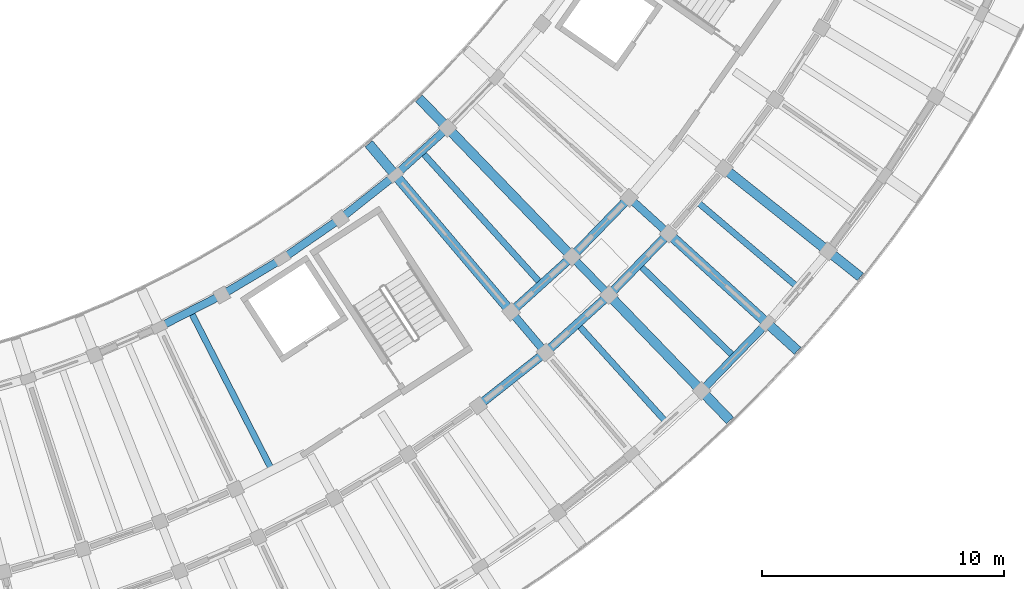
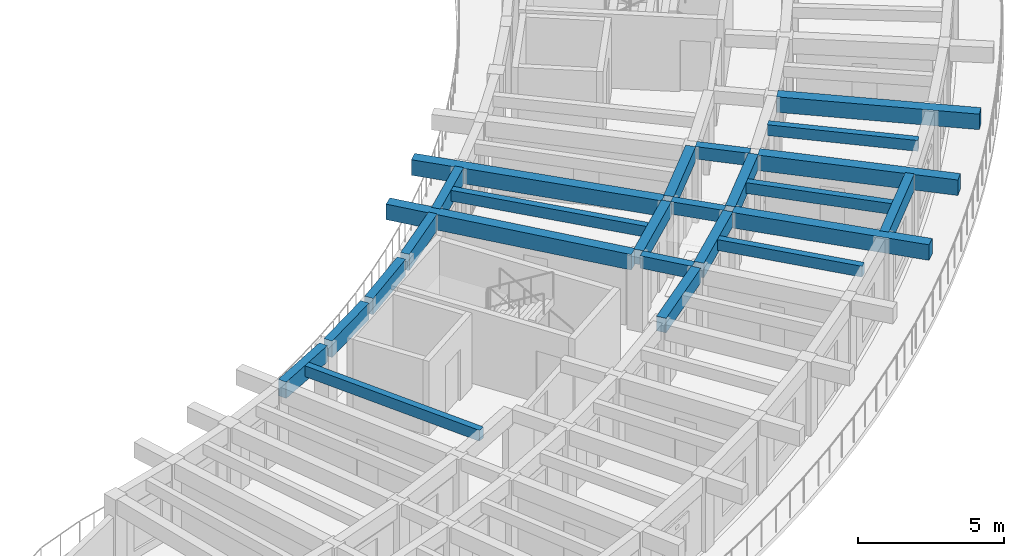
# One storey, part 12 of 69: 24 beams.
"""IFC4 building model written with IfcOpenShell, lengths in metres."""

from ifc_helpers import new_model, si_unit, direction, frame, origin, origin_2d, place, context, subcontext, project, spatial, rectangle, extrude, material, material_profile, profile_set, type_object, element, save


model = new_model("IFC4")

# Units and contexts
model_context = context("Model", 3, precision=1e-05, world=origin(), true_north=direction((0.0, 1.0)))
body_context = subcontext(model_context, "Body", "Model", "MODEL_VIEW")
ifc_project = project(units=[si_unit("LENGTHUNIT", "METRE"), si_unit("AREAUNIT", "SQUARE_METRE"), si_unit("VOLUMEUNIT", "CUBIC_METRE"), si_unit("PLANEANGLEUNIT", "RADIAN"), si_unit("MASSUNIT", "GRAM", prefix="KILO")], contexts=[model_context])

# Site, building, storey
site_placement = place(None, origin())
site = spatial("IfcSite", under=ifc_project, at=site_placement, CompositionType="ELEMENT")
building_placement = place(site_placement, origin())
building = spatial("IfcBuilding", under=site, at=building_placement, Name="Tanwirah Colonnade Gardens", CompositionType="ELEMENT")
storey_placement = place(building_placement, frame((0.0, 0.0, 15.56005859375)))
storey = spatial("IfcBuildingStorey", under=building, at=storey_placement, Name="L04", CompositionType="ELEMENT", Elevation=15.56005859375)

# Beams
ifc_material_1 = material(Name="Precast concrete C40/50", Category="concrete")
ifc_material_profile_1 = material_profile(ifc_material_1, rectangle(XDim=0.360107421875, YDim=0.610107421875, at=origin_2d()), Name="PC-BM 360x610")
ifc_profile_set_1 = profile_set([ifc_material_profile_1], Name="Precast concrete C40/50")
beam_type_1 = type_object("IfcBeamType", Name="BM-PC300", PredefinedType="BEAM", material=ifc_profile_set_1)
beam_1_placement = place(storey_placement, frame((153.267822265625, 21.144775390625, 2.804931640625), z_axis=(0.783993819374, 0.620768629349, 0.0), x_axis=(-0.620768629349, 0.783993819374, 0.0)))
element("IfcBeam", 1, at=beam_1_placement, inside=storey, type_object=beam_type_1, Name="Block D L04 Circumferential Beam 6-R2", PredefinedType="BEAM", context=body_context, shape_type="SweptSolid", body=[
    extrude(rectangle(XDim=0.360107421875, YDim=0.610107421875, at=origin_2d()), origin(), (0.0, 0.0, 1.0), 3.23681640625),
])
beam_2_placement = place(storey_placement, frame((154.61279296875, 25.027099609375, 2.804931640625), z_axis=(0.741698455559, 0.670733479873, 0.0), x_axis=(-0.670733479873, 0.741698455559, 0.0)))
element("IfcBeam", 2, at=beam_2_placement, inside=storey, type_object=beam_type_1, Name="Block D L04 Circumferential Beam 7-R1", PredefinedType="BEAM", context=body_context, shape_type="SweptSolid", body=[
    extrude(rectangle(XDim=0.360107421875, YDim=0.610107421875, at=origin_2d()), origin(), (0.0, 0.0, 1.0), 3.0927734375),
])
beam_3_placement = place(storey_placement, frame((156.0341796875, 23.347900390625, 2.804931640625), z_axis=(0.741701929733, 0.670729638104, 0.0), x_axis=(-0.670729638104, 0.741701929733, 0.0)))
element("IfcBeam", 3, at=beam_3_placement, inside=storey, type_object=beam_type_1, Name="Block D L04 Circumferential Beam 7-R2", PredefinedType="BEAM", context=body_context, shape_type="SweptSolid", body=[
    extrude(rectangle(XDim=0.360107421875, YDim=0.610107421875, at=origin_2d()), origin(), (0.0, 0.0, 1.0), 3.237060546875),
])
beam_4_placement = place(storey_placement, frame((157.12255859375, 27.309814453125, 2.804931640625), z_axis=(0.696209937932, 0.71783822852, 0.0), x_axis=(-0.71783822852, 0.696209937932, 0.0)))
element("IfcBeam", 4, at=beam_4_placement, inside=storey, type_object=beam_type_1, Name="Block D L04 Circumferential Beam 8-R1", PredefinedType="BEAM", context=body_context, shape_type="SweptSolid", body=[
    extrude(rectangle(XDim=0.360107421875, YDim=0.610107421875, at=origin_2d()), origin(), (0.0, 0.0, 1.0), 3.093017578125),
])
beam_5_placement = place(storey_placement, frame((158.650634765625, 25.727294921875, 2.804931640625), z_axis=(0.696238887656, 0.717810149911, 0.0), x_axis=(-0.717810149911, 0.696238887656, 0.0)))
element("IfcBeam", 5, at=beam_5_placement, inside=storey, type_object=beam_type_1, Name="Block D L04 Circumferential Beam 8-R2", PredefinedType="BEAM", context=body_context, shape_type="SweptSolid", body=[
    extrude(rectangle(XDim=0.360107421875, YDim=0.610107421875, at=origin_2d()), origin(), (0.0, 0.0, 1.0), 3.23681640625),
])
ifc_material_profile_2 = material_profile(ifc_material_1, rectangle(XDim=0.320068359375, YDim=0.52001953125, at=origin_2d()), Name="PC-BM 320x520")
ifc_profile_set_2 = profile_set([ifc_material_profile_2], Name="Precast concrete C40/50")
beam_type_2 = type_object("IfcBeamType", Name="BM-PC320", PredefinedType="BEAM", material=ifc_profile_set_2)
beam_6_placement = place(storey_placement, frame((154.598388671875, 24.81201171875, 2.849853515625), z_axis=(0.646155325581, -0.763205932382, 0.0), x_axis=(0.763205932382, 0.646155325581, 0.0)))
element("IfcBeam", 6, at=beam_6_placement, inside=storey, type_object=beam_type_2, Name="Block D L04 Corridor Tie Beam 7", PredefinedType="BEAM", context=body_context, shape_type="SweptSolid", body=[
    extrude(rectangle(XDim=0.320068359375, YDim=0.52001953125, at=origin_2d()), origin(), (0.0, 0.0, 1.0), 1.900146484375),
])
beam_7_placement = place(storey_placement, frame((157.122314453125, 27.09423828125, 2.849853515625), z_axis=(0.694663306685, -0.719335033448, 0.0), x_axis=(0.719335033448, 0.694663306685, 0.0)))
element("IfcBeam", 7, at=beam_7_placement, inside=storey, type_object=beam_type_2, Name="Block D L04 Corridor Tie Beam 8", PredefinedType="BEAM", context=body_context, shape_type="SweptSolid", body=[
    extrude(rectangle(XDim=0.320068359375, YDim=0.52001953125, at=origin_2d()), origin(), (0.0, 0.0, 1.0), 1.89990234375),
])
beam_8_placement = place(storey_placement, frame((159.491455078125, 29.536865234375, 2.849853515625), z_axis=(0.740219127015, -0.672365707038, 0.0), x_axis=(0.672365707038, 0.740219127015, 0.0)))
element("IfcBeam", 8, at=beam_8_placement, inside=storey, type_object=beam_type_2, Name="Block D L04 Corridor Tie Beam 9", PredefinedType="BEAM", context=body_context, shape_type="SweptSolid", body=[
    extrude(rectangle(XDim=0.320068359375, YDim=0.52001953125, at=origin_2d()), origin(), (0.0, 0.0, 1.0), 1.899658203125),
])
ifc_material_2 = material(Name="Precast concrete C45/55", Category="concrete")
ifc_material_profile_3 = material_profile(ifc_material_2, rectangle(XDim=0.39990234375, YDim=0.64990234375, at=origin_2d()), Name="PC-BM 400x650")
ifc_profile_set_3 = profile_set([ifc_material_profile_3], Name="Precast concrete C45/55")
beam_type_3 = type_object("IfcBeamType", Name="BM-PC400", PredefinedType="BEAM", material=ifc_profile_set_3)
beam_9_placement = place(storey_placement, frame((154.404541015625, 25.040771484375, 2.784912109375), z_axis=(-0.64611097415, 0.763243479554, 0.0), x_axis=(-0.763243479554, -0.64611097415, 0.0)))
element("IfcBeam", 9, at=beam_9_placement, inside=storey, type_object=beam_type_3, Name="Block D L04 Inner Radial Precast Girder 7", PredefinedType="BEAM", context=body_context, shape_type="SweptSolid", body=[
    extrude(rectangle(XDim=0.39990234375, YDim=0.64990234375, at=origin_2d()), origin(), (0.0, 0.0, 1.0), 8.949951171875),
])
beam_10_placement = place(storey_placement, frame((156.913818359375, 27.31005859375, 2.784912109375), z_axis=(-0.694655848402, 0.719342235852, 0.0), x_axis=(-0.719342235852, -0.694655848402, 0.0)))
element("IfcBeam", 10, at=beam_10_placement, inside=storey, type_object=beam_type_3, Name="Block D L04 Inner Radial Precast Girder 8", PredefinedType="BEAM", context=body_context, shape_type="SweptSolid", body=[
    extrude(rectangle(XDim=0.39990234375, YDim=0.64990234375, at=origin_2d()), origin(), (0.0, 0.0, 1.0), 8.9501953125),
])
beam_11_placement = place(storey_placement, frame((158.650390625, 25.51171875, 2.784912109375), z_axis=(0.69467114255, -0.719327466254, 0.0), x_axis=(0.719327466254, 0.69467114255, 0.0)))
element("IfcBeam", 11, at=beam_11_placement, inside=storey, type_object=beam_type_3, Name="Block D L04 Outer Radial Precast Girder 8", PredefinedType="BEAM", context=body_context, shape_type="SweptSolid", body=[
    extrude(rectangle(XDim=0.39990234375, YDim=0.64990234375, at=origin_2d()), origin(), (0.0, 0.0, 1.0), 7.050048828125),
])
for number, where, z_axis, x_axis, name in (
    (12, (161.119873046875, 28.0576171875, 2.784912109375), (0.740229899169, -0.672353847596, 0.0), (0.672353847596, 0.740229899169, 0.0), "Block D L04 Outer Radial Precast Girder 9"),
    (13, (163.41748046875, 30.759765625, 2.784912109375), (0.782609106384, -0.622513442911, 0.0), (0.622513442911, 0.782609106384, 0.0), "Block D L04 Outer Radial Precast Girder 10"),
):
    element("IfcBeam", number, at=place(storey_placement, frame(where, z_axis=z_axis, x_axis=x_axis)), inside=storey, type_object=beam_type_3, Name=name, PredefinedType="BEAM", context=body_context, shape_type="SweptSolid", body=[
        extrude(rectangle(XDim=0.39990234375, YDim=0.64990234375, at=origin_2d()), origin(), (0.0, 0.0, 1.0), 7.0498046875),
    ])
ifc_material_profile_4 = material_profile(ifc_material_1, rectangle(XDim=0.2548828125, YDim=0.455078125, at=origin_2d()), Name="PC-JST 255x455")
ifc_profile_set_4 = profile_set([ifc_material_profile_4], Name="Precast concrete C40/50")
beam_type_4 = type_object("IfcBeamType", Name="JST-PC240", PredefinedType="JOIST", material=ifc_profile_set_4)
beam_12_placement = place(storey_placement, frame((141.321044921875, 24.83203125, 2.88232421875), z_axis=(0.455921327553, -0.890020080157, 0.0), x_axis=(0.890020080157, 0.455921327553, 0.0)))
element("IfcBeam", 14, at=beam_12_placement, inside=storey, type_object=beam_type_4, Name="Block D L04 Inner Precast Floor Joist 3", PredefinedType="JOIST", context=body_context, shape_type="SweptSolid", body=[
    extrude(rectangle(XDim=0.2548828125, YDim=0.455078125, at=origin_2d()), origin(), (0.0, 0.0, 1.0), 7.159912109375),
])
beam_13_placement = place(storey_placement, frame((157.33447265625, 24.322998046875, 2.88232421875), z_axis=(0.670780841255, -0.741655622918, 0.0), x_axis=(0.741655622918, 0.670780841255, 0.0)))
element("IfcBeam", 15, at=beam_13_placement, inside=storey, type_object=beam_type_4, Name="Block D L04 Precast Floor Joist 7", PredefinedType="JOIST", context=body_context, shape_type="SweptSolid", body=[
    extrude(rectangle(XDim=0.2548828125, YDim=0.455078125, at=origin_2d()), origin(), (0.0, 0.0, 1.0), 5.260009765625),
])
beam_14_placement = place(storey_placement, frame((150.895263671875, 31.443115234375, 2.88232421875), z_axis=(0.670773136608, -0.741662591214, 0.0), x_axis=(0.741662591214, 0.670773136608, 0.0)))
element("IfcBeam", 16, at=beam_14_placement, inside=storey, type_object=beam_type_4, Name="Block D L04 Inner Precast Floor Joist 7", PredefinedType="JOIST", context=body_context, shape_type="SweptSolid", body=[
    extrude(rectangle(XDim=0.2548828125, YDim=0.455078125, at=origin_2d()), origin(), (0.0, 0.0, 1.0), 7.159912109375),
])
for number, where, z_axis, x_axis, name in (
    (17, (159.884521484375, 26.785400390625, 2.88232421875), (0.717816036263, -0.696232818878, 0.0), (0.696232818878, 0.717816036263, 0.0), "Block D L04 Precast Floor Joist 8"),
    (18, (162.267822265625, 29.409423828125, 2.88232421875), (0.761803021124, -0.647808734895, 0.0), (0.647808734895, 0.761803021124, 0.0), "Block D L04 Precast Floor Joist 9"),
):
    element("IfcBeam", number, at=place(storey_placement, frame(where, z_axis=z_axis, x_axis=x_axis)), inside=storey, type_object=beam_type_4, Name=name, PredefinedType="JOIST", context=body_context, shape_type="SweptSolid", body=[
        extrude(rectangle(XDim=0.2548828125, YDim=0.455078125, at=origin_2d()), origin(), (0.0, 0.0, 1.0), 5.260009765625),
    ])
ifc_material_profile_5 = material_profile(ifc_material_1, rectangle(XDim=0.324951171875, YDim=0.68505859375, at=origin_2d()), Name="PC-SP 325x685")
ifc_profile_set_5 = profile_set([ifc_material_profile_5], Name="Precast concrete C40/50")
beam_type_5 = type_object("IfcBeamType", Name="SP-PC260", PredefinedType="SPANDREL", material=ifc_profile_set_5)
for number, where, z_axis, x_axis, name in (
    (19, (140.094482421875, 24.365478515625, 2.767333984375), (0.890042438658, 0.455877678097, 0.0), (-0.455877678097, 0.890042438658, 0.0), "Block D L04 Circumferential Beam 3-R0"),
    (20, (142.678466796875, 25.7001953125, 2.767333984375), (0.858301131151, 0.513146341958, 0.0), (-0.513146341958, 0.858301131151, 0.0), "Block D L04 Circumferential Beam 4-R0"),
):
    element("IfcBeam", number, at=place(storey_placement, frame(where, z_axis=z_axis, x_axis=x_axis)), inside=storey, type_object=beam_type_5, Name=name, PredefinedType="SPANDREL", context=body_context, shape_type="SweptSolid", body=[
        extrude(rectangle(XDim=0.324951171875, YDim=0.68505859375, at=origin_2d()), origin(), (0.0, 0.0, 1.0), 2.608642578125),
    ])
for number, where, z_axis, x_axis, name in (
    (21, (145.169677734375, 27.200927734375, 2.767333984375), (0.822868771031, 0.568231454305, 0.0), (-0.568231454305, 0.822868771031, 0.0), "Block D L04 Circumferential Beam 5-R0"),
    (22, (147.557373046875, 28.861572265625, 2.767333984375), (0.783945239852, 0.62082997746, 0.0), (-0.62082997746, 0.783945239852, 0.0), "Block D L04 Circumferential Beam 6-R0"),
):
    element("IfcBeam", number, at=place(storey_placement, frame(where, z_axis=z_axis, x_axis=x_axis)), inside=storey, type_object=beam_type_5, Name=name, PredefinedType="SPANDREL", context=body_context, shape_type="SweptSolid", body=[
        extrude(rectangle(XDim=0.324951171875, YDim=0.68505859375, at=origin_2d()), origin(), (0.0, 0.0, 1.0), 2.60888671875),
    ])
beam_15_placement = place(storey_placement, frame((149.83154296875, 30.675048828125, 2.767333984375), z_axis=(0.741686528432, 0.670746668678, 0.0), x_axis=(-0.670746668678, 0.741686528432, 0.0)))
element("IfcBeam", 23, at=beam_15_placement, inside=storey, type_object=beam_type_5, Name="Block D L04 Circumferential Beam 7-R0", PredefinedType="SPANDREL", context=body_context, shape_type="SweptSolid", body=[
    extrude(rectangle(XDim=0.324951171875, YDim=0.68505859375, at=origin_2d()), origin(), (0.0, 0.0, 1.0), 2.608642578125),
])
beam_16_placement = place(storey_placement, frame((162.471435546875, 21.77099609375, 2.767333984375), z_axis=(0.696231699401, 0.717817122079, 0.0), x_axis=(-0.717817122079, 0.696231699401, 0.0)))
element("IfcBeam", 24, at=beam_16_placement, inside=storey, type_object=beam_type_5, Name="Block D L04 Circumferential Beam 8-R3", PredefinedType="SPANDREL", context=body_context, shape_type="SweptSolid", body=[
    extrude(rectangle(XDim=0.324951171875, YDim=0.68505859375, at=origin_2d()), origin(), (0.0, 0.0, 1.0), 3.5966796875),
])

save(model, "model.ifc")
